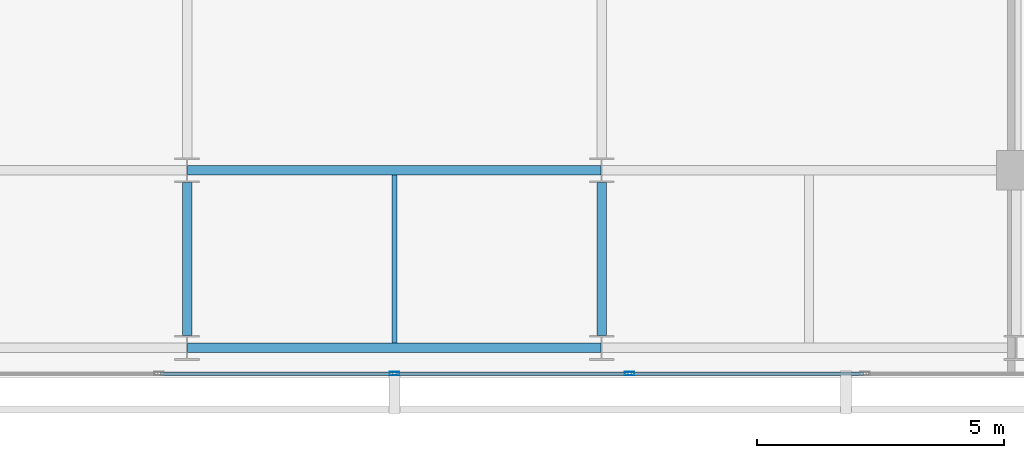
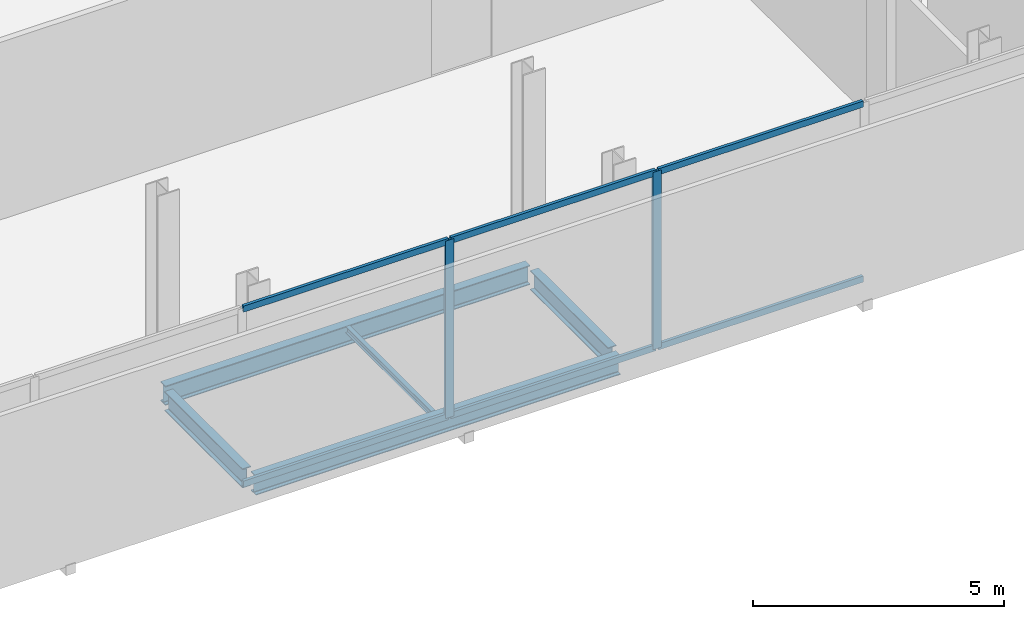
# One storey, part 4 of 23: 8 members, 5 beams, 1 element without a shape of its own.
"""IFC4 building model written with IfcOpenShell, lengths in metres."""

from ifc_helpers import new_model, si_unit, direction, frame, origin, origin_2d, place, context, subcontext, project, spatial, hollow_rectangle, i_section, extrude, material, layer, layer_set, material_profile, profile_set, type_object, element, aggregate, save


model = new_model("IFC4")

# Units and contexts
model_context = context("Model", 3, precision=1e-05, world=origin(), true_north=direction((0.0, 1.0)))
body_context = subcontext(model_context, "Body", "Model", "MODEL_VIEW")
ifc_project = project(units=[si_unit("LENGTHUNIT", "METRE"), si_unit("AREAUNIT", "SQUARE_METRE"), si_unit("VOLUMEUNIT", "CUBIC_METRE"), si_unit("PLANEANGLEUNIT", "RADIAN"), si_unit("MASSUNIT", "GRAM", prefix="KILO")], contexts=[model_context])

# Site, building, storey
site_placement = place(None, origin())
site = spatial("IfcSite", under=ifc_project, at=site_placement, CompositionType="ELEMENT")
building_placement = place(site_placement, origin())
building = spatial("IfcBuilding", under=site, at=building_placement, Name="Maruvema Waterfront Hotel and Observation Tower", CompositionType="ELEMENT")
storey_placement = place(building_placement, frame((0.0, 0.0, 345.10009765625)))
storey = spatial("IfcBuildingStorey", under=building, at=storey_placement, Name="L85", CompositionType="ELEMENT", Elevation=345.10009765625)

# Curtain wall, members
ifc_material_1 = material(Name="Anodised bronze aluminium and solar-control low-E IGU", Category="aluminium")
ifc_layer = layer(ifc_material_1, 0.159912109375, Name="Observation Crown Structural Glazed Curtain Wall System CW-06")
ifc_layer_set = layer_set([ifc_layer], Name="Anodised bronze aluminium and solar-control low-E IGU")
curtain_wall_type = type_object("IfcCurtainWallType", Name="Observation Crown Structural Glazed Curtain Wall System CW-06", PredefinedType="USERDEFINED", material=ifc_layer_set)
curtain_wall_placement = place(storey_placement, origin())
curtain_wall = element("IfcCurtainWall", 1, at=curtain_wall_placement, inside=storey, type_object=curtain_wall_type, Name="L85 Curtain Wall CW-L85-S", ObjectType="UNITISED CURTAIN WALL", PredefinedType="USERDEFINED")
ifc_material_2 = material(Name="Anodised architectural bronze aluminium", Category="aluminium")
ifc_material_profile_1 = material_profile(ifc_material_2, hollow_rectangle(XDim=0.070068359375, YDim=0.14990234375, WallThickness=0.00390625, at=origin_2d()), Name="ALU-T70x150")
ifc_profile_set_1 = profile_set([ifc_material_profile_1], Name="Anodised architectural bronze aluminium")
member_type_1 = type_object("IfcMemberType", Name="Curtain Wall Horizontal Transom ALU-T70x150", PredefinedType="USERDEFINED", material=ifc_profile_set_1)
member_1_placement = place(storey_placement, frame((33.063232421875, 13.8798828125, 0.02978515625), z_axis=(1.0, 0.0, 0.0), x_axis=(0.0, 1.0, 0.0)))
member_1 = element("IfcMember", 2, at=member_1_placement, type_object=member_type_1, Name="CW-06 transom 3.1", ObjectType="TRANSOM", PredefinedType="USERDEFINED", context=body_context, shape_type="SweptSolid", body=[
    extrude(hollow_rectangle(XDim=0.070068359375, YDim=0.14990234375, WallThickness=0.00390625, at=origin_2d()), origin(), (0.0, 0.0, 1.0), 4.706787109375),
])
member_2_placement = place(storey_placement, frame((33.063232421875, 13.8798828125, 4.27978515625), z_axis=(1.0, 0.0, 0.0), x_axis=(0.0, 1.0, 0.0)))
member_2 = element("IfcMember", 3, at=member_2_placement, type_object=member_type_1, Name="CW-06 transom 3.2", ObjectType="TRANSOM", PredefinedType="USERDEFINED", context=body_context, shape_type="SweptSolid", body=[
    extrude(hollow_rectangle(XDim=0.070068359375, YDim=0.14990234375, WallThickness=0.00390625, at=origin_2d()), origin(), (0.0, 0.0, 1.0), 4.706787109375),
])
member_3_placement = place(storey_placement, frame((37.830078125, 13.8798828125, 0.02978515625), z_axis=(1.0, 0.0, 0.0), x_axis=(0.0, 1.0, 0.0)))
member_3 = element("IfcMember", 4, at=member_3_placement, type_object=member_type_1, Name="CW-06 transom 4.1", ObjectType="TRANSOM", PredefinedType="USERDEFINED", context=body_context, shape_type="SweptSolid", body=[
    extrude(hollow_rectangle(XDim=0.070068359375, YDim=0.14990234375, WallThickness=0.00390625, at=origin_2d()), origin(), (0.0, 0.0, 1.0), 4.70654296875),
])
member_4_placement = place(storey_placement, frame((37.830078125, 13.8798828125, 4.27978515625), z_axis=(1.0, 0.0, 0.0), x_axis=(0.0, 1.0, 0.0)))
member_4 = element("IfcMember", 5, at=member_4_placement, type_object=member_type_1, Name="CW-06 transom 4.2", ObjectType="TRANSOM", PredefinedType="USERDEFINED", context=body_context, shape_type="SweptSolid", body=[
    extrude(hollow_rectangle(XDim=0.070068359375, YDim=0.14990234375, WallThickness=0.00390625, at=origin_2d()), origin(), (0.0, 0.0, 1.0), 4.70654296875),
])
member_5_placement = place(storey_placement, frame((42.5966796875, 13.8798828125, 0.02978515625), z_axis=(1.0, 0.0, 0.0), x_axis=(0.0, 1.0, 0.0)))
member_5 = element("IfcMember", 6, at=member_5_placement, type_object=member_type_1, Name="CW-06 transom 5.1", ObjectType="TRANSOM", PredefinedType="USERDEFINED", context=body_context, shape_type="SweptSolid", body=[
    extrude(hollow_rectangle(XDim=0.070068359375, YDim=0.14990234375, WallThickness=0.00390625, at=origin_2d()), origin(), (0.0, 0.0, 1.0), 4.70654296875),
])
member_6_placement = place(storey_placement, frame((42.5966796875, 13.8798828125, 4.27978515625), z_axis=(1.0, 0.0, 0.0), x_axis=(0.0, 1.0, 0.0)))
member_6 = element("IfcMember", 7, at=member_6_placement, type_object=member_type_1, Name="CW-06 transom 5.2", ObjectType="TRANSOM", PredefinedType="USERDEFINED", context=body_context, shape_type="SweptSolid", body=[
    extrude(hollow_rectangle(XDim=0.070068359375, YDim=0.14990234375, WallThickness=0.00390625, at=origin_2d()), origin(), (0.0, 0.0, 1.0), 4.70654296875),
])
ifc_material_3 = material(Name="Anodised architectural bronze aluminium", Category="aluminium")
ifc_material_profile_2 = material_profile(ifc_material_3, hollow_rectangle(XDim=0.070068359375, YDim=0.18994140625, WallThickness=0.00390625, at=origin_2d()), Name="ALU-M70x190")
ifc_profile_set_2 = profile_set([ifc_material_profile_2], Name="Anodised architectural bronze aluminium")
member_type_2 = type_object("IfcMemberType", Name="Podium Storefront Heavy Mullion ALU-M70x190", PredefinedType="MULLION", material=ifc_profile_set_2)
member_7_placement = place(storey_placement, frame((37.800048828125, 13.8798828125, 0.0), z_axis=(0.0, 0.0, 1.0), x_axis=(0.0, 1.0, 0.0)))
member_7 = element("IfcMember", 8, at=member_7_placement, type_object=member_type_2, Name="CW-06 mullion 4", PredefinedType="MULLION", context=body_context, shape_type="SweptSolid", body=[
    extrude(hollow_rectangle(XDim=0.070068359375, YDim=0.18994140625, WallThickness=0.00390625, at=origin_2d()), origin(), (0.0, 0.0, 1.0), 4.309814453125),
])
member_8_placement = place(storey_placement, frame((42.566650390625, 13.8798828125, 0.0), z_axis=(0.0, 0.0, 1.0), x_axis=(0.0, 1.0, 0.0)))
member_8 = element("IfcMember", 9, at=member_8_placement, type_object=member_type_2, Name="CW-06 mullion 5", PredefinedType="MULLION", context=body_context, shape_type="SweptSolid", body=[
    extrude(hollow_rectangle(XDim=0.070068359375, YDim=0.18994140625, WallThickness=0.00390625, at=origin_2d()), origin(), (0.0, 0.0, 1.0), 4.309814453125),
])
aggregate(curtain_wall, [member_7, member_8, member_1, member_2, member_3, member_4, member_5, member_6])

# Beams
ifc_material_4 = material(Name="Steel ASTM A572 Grade 50", Category="steel")
ifc_material_profile_3 = material_profile(ifc_material_4, i_section(OverallWidth=0.194091796875, OverallDepth=0.468994140625, WebThickness=0.0126953125, FlangeThickness=0.0205078125, FilletRadius=0.014892578125, at=origin_2d()), Name="W460x106.0")
ifc_profile_set_3 = profile_set([ifc_material_profile_3], Name="Steel ASTM A572 Grade 50")
beam_type_1 = type_object("IfcBeamType", Name="Primary Floor Girder W460x106.0", PredefinedType="BEAM", material=ifc_profile_set_3)
for number, where, z_axis, x_axis, name in (
    (10, (33.611083984375, 14.39990234375, -0.474609375), (1.0, 0.0, 0.0), (0.0, 1.0, 0.0), "L85 Floor Girder EW-02"),
    (11, (33.611083984375, 18.0, -0.474609375), (1.0, 0.0, 0.0), (0.0, 1.0, 0.0), "L85 Floor Girder EW-05"),
):
    element("IfcBeam", number, at=place(storey_placement, frame(where, z_axis=z_axis, x_axis=x_axis)), inside=storey, type_object=beam_type_1, Name=name, PredefinedType="BEAM", context=body_context, shape_type="SweptSolid", body=[
        extrude(i_section(OverallWidth=0.194091796875, OverallDepth=0.468994140625, WebThickness=0.0126953125, FlangeThickness=0.0205078125, FilletRadius=0.014892578125, at=origin_2d()), origin(), (0.0, 0.0, 1.0), 8.3779296875),
    ])
for number, where, z_axis, x_axis, name in (
    (12, (33.60009765625, 14.64990234375, -0.474609375), (0.0, 1.0, 0.0), (-1.0, 0.0, 0.0), "L85 Floor Girder NS-07"),
    (13, (42.0, 14.64990234375, -0.474609375), (0.0, 1.0, 0.0), (-1.0, 0.0, 0.0), "L85 Floor Girder NS-09"),
):
    element("IfcBeam", number, at=place(storey_placement, frame(where, z_axis=z_axis, x_axis=x_axis)), inside=storey, type_object=beam_type_1, Name=name, PredefinedType="BEAM", context=body_context, shape_type="SweptSolid", body=[
        extrude(i_section(OverallWidth=0.194091796875, OverallDepth=0.468994140625, WebThickness=0.0126953125, FlangeThickness=0.0205078125, FilletRadius=0.014892578125, at=origin_2d()), origin(), (0.0, 0.0, 1.0), 3.10009765625),
    ])
ifc_material_5 = material(Name="Steel ASTM A572 Grade 50", Category="steel")
ifc_material_profile_4 = material_profile(ifc_material_5, i_section(OverallWidth=0.10009765625, OverallDepth=0.153076171875, WebThickness=0.005859375, FlangeThickness=0.007080078125, FilletRadius=0.008056640625, at=origin_2d()), Name="W150x18.0")
ifc_profile_set_4 = profile_set([ifc_material_profile_4], Name="Steel ASTM A572 Grade 50")
beam_type_2 = type_object("IfcBeamType", Name="Secondary Floor Joist W150x18.0", PredefinedType="JOIST", material=ifc_profile_set_4)
beam_placement = place(storey_placement, frame((37.800048828125, 14.4970703125, -0.316650390625), z_axis=(0.0, 1.0, 0.0), x_axis=(-1.0, 0.0, 0.0)))
element("IfcBeam", 14, at=beam_placement, inside=storey, type_object=beam_type_2, Name="L85 Secondary Floor Joist JS-04", PredefinedType="JOIST", context=body_context, shape_type="SweptSolid", body=[
    extrude(i_section(OverallWidth=0.10009765625, OverallDepth=0.153076171875, WebThickness=0.005859375, FlangeThickness=0.007080078125, FilletRadius=0.008056640625, at=origin_2d()), origin(), (0.0, 0.0, 1.0), 3.406005859375),
])

save(model, "model.ifc")
